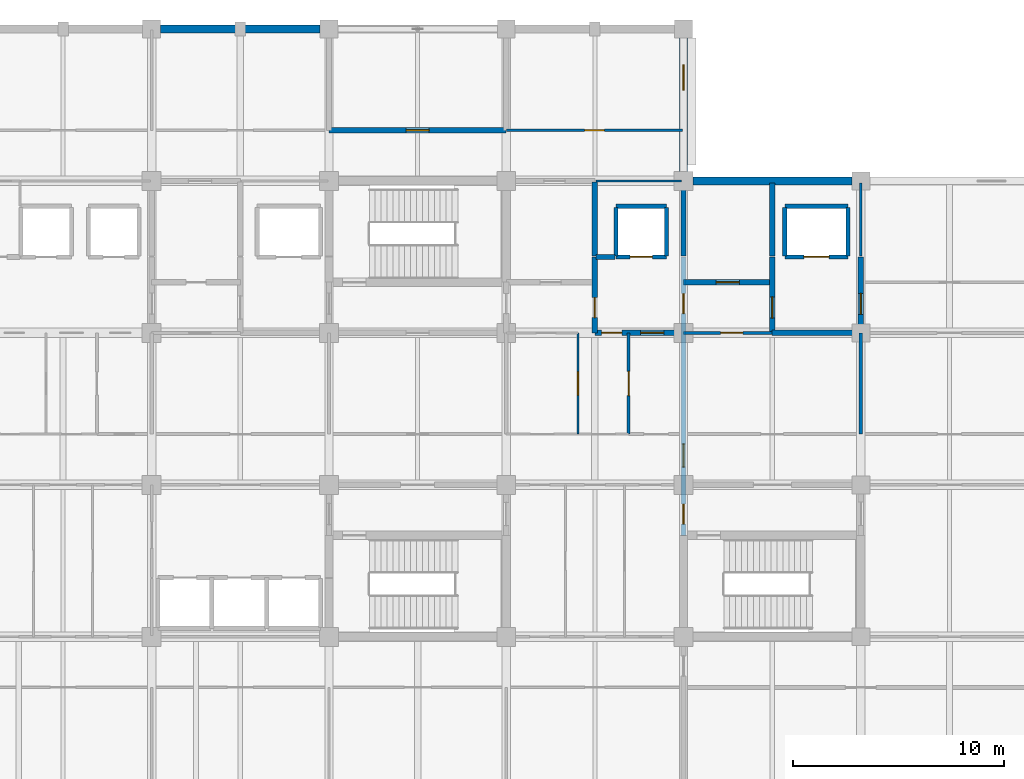
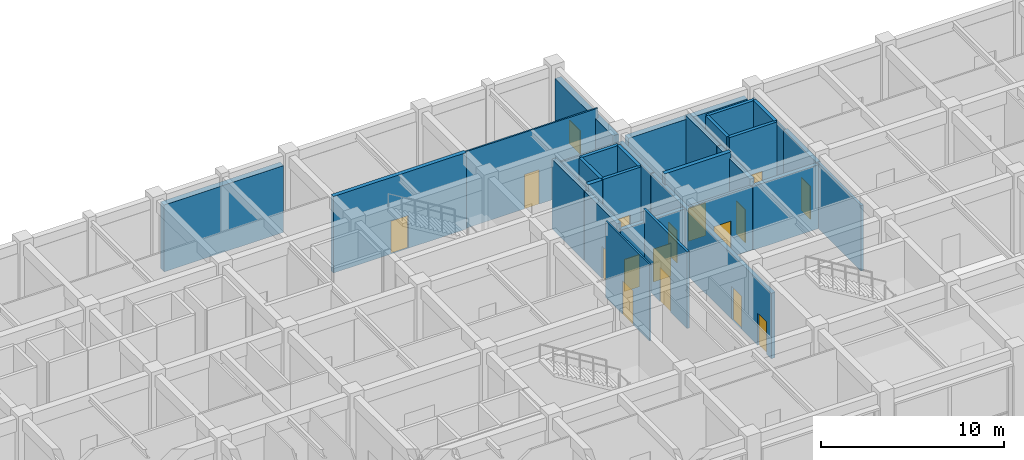
# One storey, part 36 of 51: 30 walls, 16 doors, 1 window, 17 openings.
"""IFC4 building model written with IfcOpenShell, lengths in metres."""

from ifc_helpers import new_model, si_unit, direction, frame, frame_2d, origin, place, context, subcontext, project, spatial, rectangle, extrude, material, layer, layer_set, type_object, element, fill, save


model = new_model("IFC4")

# Units and contexts
model_context = context("Model", 3, precision=1e-05, world=origin(), true_north=direction((0.0, 1.0)))
body_context = subcontext(model_context, "Body", "Model", "MODEL_VIEW")
ifc_project = project(units=[si_unit("LENGTHUNIT", "METRE"), si_unit("AREAUNIT", "SQUARE_METRE"), si_unit("VOLUMEUNIT", "CUBIC_METRE"), si_unit("PLANEANGLEUNIT", "RADIAN"), si_unit("MASSUNIT", "GRAM", prefix="KILO")], contexts=[model_context])

# Site, building, storey
site_placement = place(None, origin())
site = spatial("IfcSite", under=ifc_project, at=site_placement, CompositionType="ELEMENT")
building_placement = place(site_placement, origin())
building = spatial("IfcBuilding", under=site, at=building_placement, Name="Chengyuan Square Courthouse", CompositionType="ELEMENT")
storey_placement = place(building_placement, frame((0.0, 0.0, 10.800048828125)))
storey = spatial("IfcBuildingStorey", under=building, at=storey_placement, Name="L03", CompositionType="ELEMENT", Elevation=10.800048828125)

# Wall
ifc_material_1 = material(Name="Concrete C40", Category="concrete")
ifc_layer_1 = layer(ifc_material_1, 0.3798828125)
ifc_layer_set_1 = layer_set([ifc_layer_1], Name="Concrete C40")
wall_type_1 = type_object("IfcWallType", Name="WL-EW1", PredefinedType="STANDARD", material=ifc_layer_set_1)
wall_1_placement = place(storey_placement, frame((92.820068359375, 115.199951171875, 0.0), z_axis=(0.0, 0.0, 1.0), x_axis=(1.0, 0.0, 0.0)))
element("IfcWall", 1, at=wall_1_placement, inside=storey, type_object=wall_type_1, Name="Exterior Wall WL-L03-E277", PredefinedType="STANDARD", context=body_context, shape_type="SweptSolid", body=[
    extrude(rectangle(XDim=7.559814453125, YDim=0.3798828125, at=frame_2d((3.77978515625, 0.0))), origin(), (0.0, 0.0, 1.0), 4.469970703125),
])

# Wall, opening, window
wall_2_placement = place(storey_placement, frame((117.60009765625, 108.445068359375, 0.0), z_axis=(0.0, 0.0, 1.0), x_axis=(0.0, 1.0, 0.0)))
wall_2 = element("IfcWall", 2, at=wall_2_placement, inside=storey, type_object=wall_type_1, Name="Exterior Wall WL-L03-E280", PredefinedType="STANDARD", context=body_context, shape_type="SweptSolid", body=[
    extrude(rectangle(XDim=6.3349609375, YDim=0.3798828125, at=frame_2d((3.16748046875, 0.0))), origin(), (0.0, 0.0, 1.0), 4.469970703125),
])
opening_1_placement = place(wall_2_placement, frame((3.85498046875, 0.0, 0.85009765625)))
opening_1 = element("IfcOpeningElement", 3, at=opening_1_placement, cuts=wall_2, Name="Opening WN-070", PredefinedType="OPENING", context=body_context, shape_type="SweptSolid", body=[
    extrude(rectangle(XDim=1.199951171875, YDim=1.56005859375, at=frame_2d((0.60009765625, 0.780029296875))), frame((0.0, 0.201904296875, 0.0), z_axis=(0.0, -1.0, 0.0), x_axis=(1.0, 0.0, 0.0)), (0.0, 0.0, 1.0), 0.40380859375),
])
ifc_material_2 = material(Name="Thermally Broken Aluminium Triple Low-E Window", Category="aluminium")
window_type = type_object("IfcWindowType", Name="WT-15", PartitioningType="SINGLE_PANEL", PredefinedType="WINDOW", material=ifc_material_2)
window_placement = place(opening_1_placement, origin())
window = element("IfcWindow", 4, at=window_placement, inside=storey, type_object=window_type, Name="Facade Window WN-070", OverallHeight=1.56005859375, OverallWidth=1.199951171875, PartitioningType="SINGLE_PANEL", PredefinedType="WINDOW", context=body_context, shape_type="SweptSolid", body=[
    extrude(rectangle(XDim=1.199951171875, YDim=1.56005859375, at=frame_2d((0.60009765625, 0.780029296875))), frame((0.0, 0.030029296875, 0.0), z_axis=(0.0, -1.0, 0.0), x_axis=(1.0, 0.0, 0.0)), (0.0, 0.0, 1.0), 0.06005859375),
])
fill(opening_1, window)

# Wall
wall_3_placement = place(storey_placement, frame((118.044921875, 108.0, 0.0), z_axis=(0.0, 0.0, 1.0), x_axis=(1.0, 0.0, 0.0)))
element("IfcWall", 5, at=wall_3_placement, inside=storey, type_object=wall_type_1, Name="Exterior Wall WL-L03-E281", PredefinedType="STANDARD", context=body_context, shape_type="SweptSolid", body=[
    extrude(rectangle(XDim=7.53515625, YDim=0.3798828125, at=frame_2d((3.767578125, 0.0))), origin(), (0.0, 0.0, 1.0), 4.469970703125),
])

# Wall, openings, doors
ifc_layer_2 = layer(ifc_material_1, 0.25)
ifc_layer_set_2 = layer_set([ifc_layer_2], Name="Concrete C40")
wall_type_2 = type_object("IfcWallType", Name="WL-FW1", PredefinedType="STANDARD", material=ifc_layer_set_2)
wall_4_placement = place(storey_placement, frame((113.39990234375, 100.800048828125, 0.0), z_axis=(0.0, 0.0, 1.0), x_axis=(1.0, 0.0, 0.0)))
wall_4 = element("IfcWall", 6, at=wall_4_placement, inside=storey, type_object=wall_type_2, Name="Interior Wall WL-L03-I1490", PredefinedType="STANDARD", context=body_context, shape_type="SweptSolid", body=[
    extrude(rectangle(XDim=4.2001953125, YDim=0.25, at=frame_2d((2.10009765625, 0.0))), origin(), (0.0, 0.0, 1.0), 4.27001953125),
])
opening_2_placement = place(wall_4_placement, frame((0.324951171875, 0.0, 0.0)))
opening_2 = element("IfcOpeningElement", 7, at=opening_2_placement, cuts=wall_4, Name="Opening DR-1412", PredefinedType="OPENING", context=body_context, shape_type="SweptSolid", body=[
    extrude(rectangle(XDim=0.949951171875, YDim=2.14990234375, at=frame_2d((0.47509765625, 1.074951171875))), frame((0.0, 0.136962890625, 0.0), z_axis=(0.0, -1.0, 0.0), x_axis=(1.0, 0.0, 0.0)), (0.0, 0.0, 1.0), 0.27392578125),
])
opening_3_placement = place(wall_4_placement, frame((2.1650390625, 0.0, 0.0)))
opening_3 = element("IfcOpeningElement", 8, at=opening_3_placement, cuts=wall_4, Name="Opening DR-1413", PredefinedType="OPENING", context=body_context, shape_type="SweptSolid", body=[
    extrude(rectangle(XDim=1.10009765625, YDim=2.199951171875, at=frame_2d((0.550048828125, 1.10009765625))), frame((0.0, 0.136962890625, 0.0), z_axis=(0.0, -1.0, 0.0), x_axis=(1.0, 0.0, 0.0)), (0.0, 0.0, 1.0), 0.27392578125),
])
ifc_material_3 = material(Name="Steel Q235B Fire Door", Category="steel")
door_type_1 = type_object("IfcDoorType", Name="DT-10", OperationType="NOTDEFINED", PredefinedType="DOOR", material=ifc_material_3)
door_1_placement = place(opening_3_placement, origin())
door_1 = element("IfcDoor", 9, at=door_1_placement, inside=storey, type_object=door_type_1, Name="Interior Door DR-1413", OperationType="SINGLE_SWING_LEFT", OverallHeight=2.199951171875, OverallWidth=1.10009765625, PredefinedType="DOOR", context=body_context, shape_type="SweptSolid", body=[
    extrude(rectangle(XDim=1.10009765625, YDim=2.199951171875, at=frame_2d((0.550048828125, 1.10009765625))), frame((0.0, 0.02490234375, 0.0), z_axis=(0.0, -1.0, 0.0), x_axis=(1.0, 0.0, 0.0)), (0.0, 0.0, 1.0), 0.050048828125),
])
fill(opening_3, door_1)
door_type_2 = type_object("IfcDoorType", Name="DT-12", OperationType="NOTDEFINED", PredefinedType="DOOR", material=ifc_material_3)
door_2_placement = place(opening_2_placement, origin())
door_2 = element("IfcDoor", 10, at=door_2_placement, inside=storey, type_object=door_type_2, Name="Interior Door DR-1412", OperationType="SINGLE_SWING_RIGHT", OverallHeight=2.14990234375, OverallWidth=0.949951171875, PredefinedType="DOOR", context=body_context, shape_type="SweptSolid", body=[
    extrude(rectangle(XDim=0.949951171875, YDim=2.14990234375, at=frame_2d((0.47509765625, 1.074951171875))), frame((0.0, 0.02490234375, 0.0), z_axis=(0.0, -1.0, 0.0), x_axis=(1.0, 0.0, 0.0)), (0.0, 0.0, 1.0), 0.050048828125),
])
fill(opening_2, door_2)

# Wall
wall_5_placement = place(storey_placement, frame((121.800048828125, 100.800048828125, 0.0), z_axis=(0.0, 0.0, 1.0), x_axis=(1.0, 0.0, 0.0)))
element("IfcWall", 11, at=wall_5_placement, inside=storey, type_object=wall_type_2, Name="Interior Wall WL-L03-I1492", PredefinedType="STANDARD", context=body_context, shape_type="SweptSolid", body=[
    extrude(rectangle(XDim=4.199951171875, YDim=0.25, at=frame_2d((2.10009765625, 0.0))), origin(), (0.0, 0.0, 1.0), 4.27001953125),
])

# Wall, opening, door
wall_6_placement = place(storey_placement, frame((117.60009765625, 103.199951171875, 0.0), z_axis=(0.0, 0.0, 1.0), x_axis=(1.0, 0.0, 0.0)))
wall_6 = element("IfcWall", 12, at=wall_6_placement, inside=storey, type_object=wall_type_2, Name="Interior Wall WL-L03-I1506", PredefinedType="STANDARD", context=body_context, shape_type="SweptSolid", body=[
    extrude(rectangle(XDim=4.199951171875, YDim=0.25, at=frame_2d((2.10009765625, 0.0))), origin(), (0.0, 0.0, 1.0), 5.119873046875),
])
opening_4_placement = place(wall_6_placement, frame((1.550048828125, 0.0, 0.0)))
opening_4 = element("IfcOpeningElement", 13, at=opening_4_placement, cuts=wall_6, Name="Opening DR-1386", PredefinedType="OPENING", context=body_context, shape_type="SweptSolid", body=[
    extrude(rectangle(XDim=1.10009765625, YDim=2.199951171875, at=frame_2d((0.550048828125, 1.10009765625))), frame((0.0, 0.136962890625, 0.0), z_axis=(0.0, -1.0, 0.0), x_axis=(1.0, 0.0, 0.0)), (0.0, 0.0, 1.0), 0.27392578125),
])
door_3_placement = place(opening_4_placement, origin())
door_3 = element("IfcDoor", 14, at=door_3_placement, inside=storey, type_object=door_type_1, Name="Interior Door DR-1386", OperationType="SINGLE_SWING_LEFT", OverallHeight=2.199951171875, OverallWidth=1.10009765625, PredefinedType="DOOR", context=body_context, shape_type="SweptSolid", body=[
    extrude(rectangle(XDim=1.10009765625, YDim=2.199951171875, at=frame_2d((0.550048828125, 1.10009765625))), frame((0.0, 0.02490234375, 0.0), z_axis=(0.0, -1.0, 0.0), x_axis=(1.0, 0.0, 0.0)), (0.0, 0.0, 1.0), 0.050048828125),
])
fill(opening_4, door_3)

# Wall
wall_7_placement = place(storey_placement, frame((113.449951171875, 104.39990234375, 0.0), z_axis=(0.0, 0.0, 1.0), x_axis=(1.0, 0.0, 0.0)))
element("IfcWall", 15, at=wall_7_placement, inside=storey, type_object=wall_type_2, Name="Interior Wall WL-L03-I1518", PredefinedType="STANDARD", context=body_context, shape_type="SweptSolid", body=[
    extrude(rectangle(XDim=0.900146484375, YDim=0.25, at=frame_2d((0.4501953125, 0.0))), origin(), (0.0, 0.0, 1.0), 5.119873046875),
])

# Wall, opening, door
wall_8_placement = place(storey_placement, frame((100.800048828125, 110.39990234375, 0.0), z_axis=(0.0, 0.0, 1.0), x_axis=(1.0, 0.0, 0.0)))
wall_8 = element("IfcWall", 16, at=wall_8_placement, inside=storey, type_object=wall_type_2, Name="Interior Wall WL-L03-I1547", PredefinedType="STANDARD", context=body_context, shape_type="SweptSolid", body=[
    extrude(rectangle(XDim=8.39990234375, YDim=0.25, at=frame_2d((4.199951171875, 0.0))), origin(), (0.0, 0.0, 1.0), 5.119873046875),
])
opening_5_placement = place(wall_8_placement, frame((3.64990234375, 0.0, 0.0)))
opening_5 = element("IfcOpeningElement", 17, at=opening_5_placement, cuts=wall_8, Name="Opening DR-1572", PredefinedType="OPENING", context=body_context, shape_type="SweptSolid", body=[
    extrude(rectangle(XDim=1.10009765625, YDim=2.199951171875, at=frame_2d((0.550048828125, 1.10009765625))), frame((0.0, 0.136962890625, 0.0), z_axis=(0.0, -1.0, 0.0), x_axis=(1.0, 0.0, 0.0)), (0.0, 0.0, 1.0), 0.27392578125),
])
door_4_placement = place(opening_5_placement, origin())
door_4 = element("IfcDoor", 18, at=door_4_placement, inside=storey, type_object=door_type_1, Name="Interior Door DR-1572", OperationType="SINGLE_SWING_RIGHT", OverallHeight=2.199951171875, OverallWidth=1.10009765625, PredefinedType="DOOR", context=body_context, shape_type="SweptSolid", body=[
    extrude(rectangle(XDim=1.10009765625, YDim=2.199951171875, at=frame_2d((0.550048828125, 1.10009765625))), frame((0.0, 0.02490234375, 0.0), z_axis=(0.0, -1.0, 0.0), x_axis=(1.0, 0.0, 0.0)), (0.0, 0.0, 1.0), 0.050048828125),
])
fill(opening_5, door_4)

wall_9_placement = place(storey_placement, frame((113.39990234375, 100.800048828125, 0.0), z_axis=(0.0, 0.0, 1.0), x_axis=(0.0, 1.0, 0.0)))
wall_9 = element("IfcWall", 19, at=wall_9_placement, inside=storey, type_object=wall_type_2, Name="Interior Wall WL-L03-I1685", PredefinedType="STANDARD", context=body_context, shape_type="SweptSolid", body=[
    extrude(rectangle(XDim=3.599853515625, YDim=0.25, at=frame_2d((1.7998046875, 0.0))), origin(), (0.0, 0.0, 1.0), 4.669921875),
])
opening_6_placement = place(wall_9_placement, frame((0.72509765625, 0.0, 0.0)))
opening_6 = element("IfcOpeningElement", 20, at=opening_6_placement, cuts=wall_9, Name="Opening DR-1409", PredefinedType="OPENING", context=body_context, shape_type="SweptSolid", body=[
    extrude(rectangle(XDim=0.949951171875, YDim=2.14990234375, at=frame_2d((0.47509765625, 1.074951171875))), frame((0.0, 0.136962890625, 0.0), z_axis=(0.0, -1.0, 0.0), x_axis=(1.0, 0.0, 0.0)), (0.0, 0.0, 1.0), 0.27392578125),
])
door_5_placement = place(opening_6_placement, origin())
door_5 = element("IfcDoor", 21, at=door_5_placement, inside=storey, type_object=door_type_2, Name="Interior Door DR-1409", OperationType="SINGLE_SWING_LEFT", OverallHeight=2.14990234375, OverallWidth=0.949951171875, PredefinedType="DOOR", context=body_context, shape_type="SweptSolid", body=[
    extrude(rectangle(XDim=0.949951171875, YDim=2.14990234375, at=frame_2d((0.47509765625, 1.074951171875))), frame((0.0, 0.02490234375, 0.0), z_axis=(0.0, -1.0, 0.0), x_axis=(1.0, 0.0, 0.0)), (0.0, 0.0, 1.0), 0.050048828125),
])
fill(opening_6, door_5)

# Wall
wall_10_placement = place(storey_placement, frame((113.39990234375, 104.449951171875, 0.0), z_axis=(0.0, 0.0, 1.0), x_axis=(0.0, 1.0, 0.0)))
element("IfcWall", 22, at=wall_10_placement, inside=storey, type_object=wall_type_2, Name="Interior Wall WL-L03-I1686", PredefinedType="STANDARD", context=body_context, shape_type="SweptSolid", body=[
    extrude(rectangle(XDim=3.5, YDim=0.25, at=frame_2d((1.75, 0.0))), origin(), (0.0, 0.0, 1.0), 4.669921875),
])

# Wall, openings, doors
wall_11_placement = place(storey_placement, frame((117.60009765625, 91.199951171875, 0.0), z_axis=(0.0, 0.0, 1.0), x_axis=(0.0, 1.0, 0.0)))
wall_11 = element("IfcWall", 23, at=wall_11_placement, inside=storey, type_object=wall_type_2, Name="Interior Wall WL-L03-I1693", PredefinedType="STANDARD", context=body_context, shape_type="SweptSolid", body=[
    extrude(rectangle(XDim=13.199951171875, YDim=0.25, at=frame_2d((6.60009765625, 0.0))), origin(), (0.0, 0.0, 1.0), 4.369873046875),
])
opening_7_placement = place(wall_11_placement, frame((0.5400390625, 0.0, 0.0)))
opening_7 = element("IfcOpeningElement", 24, at=opening_7_placement, cuts=wall_11, Name="Opening DR-1343", PredefinedType="OPENING", context=body_context, shape_type="SweptSolid", body=[
    extrude(rectangle(XDim=0.949951171875, YDim=2.14990234375, at=frame_2d((0.47509765625, 1.074951171875))), frame((0.0, 0.136962890625, 0.0), z_axis=(0.0, -1.0, 0.0), x_axis=(1.0, 0.0, 0.0)), (0.0, 0.0, 1.0), 0.27392578125),
])
opening_8_placement = place(wall_11_placement, frame((10.510009765625, 0.0, 0.0)))
opening_8 = element("IfcOpeningElement", 25, at=opening_8_placement, cuts=wall_11, Name="Opening DR-1388", PredefinedType="OPENING", context=body_context, shape_type="SweptSolid", body=[
    extrude(rectangle(XDim=0.949951171875, YDim=2.14990234375, at=frame_2d((0.47509765625, 1.074951171875))), frame((0.0, 0.136962890625, 0.0), z_axis=(0.0, -1.0, 0.0), x_axis=(1.0, 0.0, 0.0)), (0.0, 0.0, 1.0), 0.27392578125),
])
opening_9_placement = place(wall_11_placement, frame((3.235107421875, 0.0, 0.0)))
opening_9 = element("IfcOpeningElement", 26, at=opening_9_placement, cuts=wall_11, Name="Opening DR-1476", PredefinedType="OPENING", context=body_context, shape_type="SweptSolid", body=[
    extrude(rectangle(XDim=1.10009765625, YDim=2.199951171875, at=frame_2d((0.550048828125, 1.10009765625))), frame((0.0, 0.136962890625, 0.0), z_axis=(0.0, -1.0, 0.0), x_axis=(1.0, 0.0, 0.0)), (0.0, 0.0, 1.0), 0.27392578125),
])
door_6_placement = place(opening_9_placement, origin())
door_6 = element("IfcDoor", 27, at=door_6_placement, inside=storey, type_object=door_type_1, Name="Interior Door DR-1476", OperationType="SINGLE_SWING_LEFT", OverallHeight=2.199951171875, OverallWidth=1.10009765625, PredefinedType="DOOR", context=body_context, shape_type="SweptSolid", body=[
    extrude(rectangle(XDim=1.10009765625, YDim=2.199951171875, at=frame_2d((0.550048828125, 1.10009765625))), frame((0.0, 0.02490234375, 0.0), z_axis=(0.0, -1.0, 0.0), x_axis=(1.0, 0.0, 0.0)), (0.0, 0.0, 1.0), 0.050048828125),
])
fill(opening_9, door_6)
door_7_placement = place(opening_7_placement, origin())
door_7 = element("IfcDoor", 28, at=door_7_placement, inside=storey, type_object=door_type_2, Name="Interior Door DR-1343", OperationType="SINGLE_SWING_RIGHT", OverallHeight=2.14990234375, OverallWidth=0.949951171875, PredefinedType="DOOR", context=body_context, shape_type="SweptSolid", body=[
    extrude(rectangle(XDim=0.949951171875, YDim=2.14990234375, at=frame_2d((0.47509765625, 1.074951171875))), frame((0.0, 0.02490234375, 0.0), z_axis=(0.0, -1.0, 0.0), x_axis=(1.0, 0.0, 0.0)), (0.0, 0.0, 1.0), 0.050048828125),
])
fill(opening_7, door_7)
door_8_placement = place(opening_8_placement, origin())
door_8 = element("IfcDoor", 29, at=door_8_placement, inside=storey, type_object=door_type_2, Name="Interior Door DR-1388", OperationType="SINGLE_SWING_LEFT", OverallHeight=2.14990234375, OverallWidth=0.949951171875, PredefinedType="DOOR", context=body_context, shape_type="SweptSolid", body=[
    extrude(rectangle(XDim=0.949951171875, YDim=2.14990234375, at=frame_2d((0.47509765625, 1.074951171875))), frame((0.0, 0.02490234375, 0.0), z_axis=(0.0, -1.0, 0.0), x_axis=(1.0, 0.0, 0.0)), (0.0, 0.0, 1.0), 0.050048828125),
])
fill(opening_8, door_8)

# Wall
wall_12_placement = place(storey_placement, frame((117.60009765625, 104.449951171875, 0.0), z_axis=(0.0, 0.0, 1.0), x_axis=(0.0, 1.0, 0.0)))
element("IfcWall", 30, at=wall_12_placement, inside=storey, type_object=wall_type_2, Name="Interior Wall WL-L03-I1694", PredefinedType="STANDARD", context=body_context, shape_type="SweptSolid", body=[
    extrude(rectangle(XDim=3.4599609375, YDim=0.25, at=frame_2d((1.72998046875, 0.0))), origin(), (0.0, 0.0, 1.0), 4.369873046875),
])

# Wall, opening, door
wall_13_placement = place(storey_placement, frame((121.800048828125, 100.800048828125, 0.0), z_axis=(0.0, 0.0, 1.0), x_axis=(0.0, 1.0, 0.0)))
wall_13 = element("IfcWall", 31, at=wall_13_placement, inside=storey, type_object=wall_type_2, Name="Interior Wall WL-L03-I1695", PredefinedType="STANDARD", context=body_context, shape_type="SweptSolid", body=[
    extrude(rectangle(XDim=3.599853515625, YDim=0.25, at=frame_2d((1.7998046875, 0.0))), origin(), (0.0, 0.0, 1.0), 4.719970703125),
])
opening_10_placement = place(wall_13_placement, frame((0.699951171875, 0.0, 0.0)))
opening_10 = element("IfcOpeningElement", 32, at=opening_10_placement, cuts=wall_13, Name="Opening DR-1387", PredefinedType="OPENING", context=body_context, shape_type="SweptSolid", body=[
    extrude(rectangle(XDim=1.0, YDim=2.199951171875, at=frame_2d((0.5, 1.10009765625))), frame((0.0, 0.136962890625, 0.0), z_axis=(0.0, -1.0, 0.0), x_axis=(1.0, 0.0, 0.0)), (0.0, 0.0, 1.0), 0.27392578125),
])
door_type_3 = type_object("IfcDoorType", Name="DT-11", OperationType="NOTDEFINED", PredefinedType="DOOR", material=ifc_material_3)
door_9_placement = place(opening_10_placement, origin())
door_9 = element("IfcDoor", 33, at=door_9_placement, inside=storey, type_object=door_type_3, Name="Interior Door DR-1387", OperationType="SINGLE_SWING_RIGHT", OverallHeight=2.199951171875, OverallWidth=1.0, PredefinedType="DOOR", context=body_context, shape_type="SweptSolid", body=[
    extrude(rectangle(XDim=1.0, YDim=2.199951171875, at=frame_2d((0.5, 1.10009765625))), frame((0.0, 0.02490234375, 0.0), z_axis=(0.0, -1.0, 0.0), x_axis=(1.0, 0.0, 0.0)), (0.0, 0.0, 1.0), 0.050048828125),
])
fill(opening_10, door_9)

# Wall
wall_14_placement = place(storey_placement, frame((121.800048828125, 104.449951171875, 0.0), z_axis=(0.0, 0.0, 1.0), x_axis=(0.0, 1.0, 0.0)))
element("IfcWall", 34, at=wall_14_placement, inside=storey, type_object=wall_type_2, Name="Interior Wall WL-L03-I1696", PredefinedType="STANDARD", context=body_context, shape_type="SweptSolid", body=[
    extrude(rectangle(XDim=3.4599609375, YDim=0.25, at=frame_2d((1.72998046875, 0.0))), origin(), (0.0, 0.0, 1.0), 4.719970703125),
])

# Wall, opening, door
wall_15_placement = place(storey_placement, frame((126.0, 100.800048828125, 0.0), z_axis=(0.0, 0.0, 1.0), x_axis=(0.0, 1.0, 0.0)))
wall_15 = element("IfcWall", 35, at=wall_15_placement, inside=storey, type_object=wall_type_2, Name="Interior Wall WL-L03-I1702", PredefinedType="STANDARD", context=body_context, shape_type="SweptSolid", body=[
    extrude(rectangle(XDim=3.599853515625, YDim=0.25, at=frame_2d((1.7998046875, 0.0))), origin(), (0.0, 0.0, 1.0), 4.369873046875),
])
opening_11_placement = place(wall_15_placement, frame((0.87255859375, 0.0, 0.0)))
opening_11 = element("IfcOpeningElement", 36, at=opening_11_placement, cuts=wall_15, Name="Opening DR-1390", PredefinedType="OPENING", context=body_context, shape_type="SweptSolid", body=[
    extrude(rectangle(XDim=1.0, YDim=2.199951171875, at=frame_2d((0.5, 1.10009765625))), frame((0.0, 0.136962890625, 0.0), z_axis=(0.0, -1.0, 0.0), x_axis=(1.0, 0.0, 0.0)), (0.0, 0.0, 1.0), 0.27392578125),
])
door_10_placement = place(opening_11_placement, origin())
door_10 = element("IfcDoor", 37, at=door_10_placement, inside=storey, type_object=door_type_3, Name="Interior Door DR-1390", OperationType="SINGLE_SWING_LEFT", OverallHeight=2.199951171875, OverallWidth=1.0, PredefinedType="DOOR", context=body_context, shape_type="SweptSolid", body=[
    extrude(rectangle(XDim=1.0, YDim=2.199951171875, at=frame_2d((0.5, 1.10009765625))), frame((0.0, 0.02490234375, 0.0), z_axis=(0.0, -1.0, 0.0), x_axis=(1.0, 0.0, 0.0)), (0.0, 0.0, 1.0), 0.050048828125),
])
fill(opening_11, door_10)

ifc_material_4 = material(Name="Deliberation Room Sound-Insulated Partition")
ifc_layer_3 = layer(ifc_material_4, 0.14990234375)
ifc_layer_set_3 = layer_set([ifc_layer_3], Name="Deliberation Room Sound-Insulated Partition")
wall_type_3 = type_object("IfcWallType", Name="WL-PT3", PredefinedType="STANDARD", material=ifc_layer_set_3)
wall_16_placement = place(storey_placement, frame((117.60009765625, 100.800048828125, 0.0), z_axis=(0.0, 0.0, 1.0), x_axis=(1.0, 0.0, 0.0)))
wall_16 = element("IfcWall", 38, at=wall_16_placement, inside=storey, type_object=wall_type_3, Name="Interior Wall WL-L03-I1491", PredefinedType="STANDARD", context=body_context, shape_type="SweptSolid", body=[
    extrude(rectangle(XDim=4.199951171875, YDim=0.14990234375, at=frame_2d((2.10009765625, 0.0))), origin(), (0.0, 0.0, 1.0), 4.27001953125),
])
opening_12_placement = place(wall_16_placement, frame((1.7548828125, 0.0, 0.0)))
opening_12 = element("IfcOpeningElement", 39, at=opening_12_placement, cuts=wall_16, Name="Opening DR-1389", PredefinedType="OPENING", context=body_context, shape_type="SweptSolid", body=[
    extrude(rectangle(XDim=1.06005859375, YDim=2.39990234375, at=frame_2d((0.530029296875, 1.199951171875))), frame((0.0, 0.0869140625, 0.0), z_axis=(0.0, -1.0, 0.0), x_axis=(1.0, 0.0, 0.0)), (0.0, 0.0, 1.0), 0.173828125),
])
ifc_material_5 = material(Name="Acoustic Solid-Core Timber Door", Category="wood")
door_type_4 = type_object("IfcDoorType", Name="DT-42", OperationType="NOTDEFINED", PredefinedType="DOOR", material=ifc_material_5)
door_11_placement = place(opening_12_placement, origin())
door_11 = element("IfcDoor", 40, at=door_11_placement, inside=storey, type_object=door_type_4, Name="Interior Door DR-1389", OperationType="SINGLE_SWING_RIGHT", OverallHeight=2.39990234375, OverallWidth=1.06005859375, PredefinedType="DOOR", context=body_context, shape_type="SweptSolid", body=[
    extrude(rectangle(XDim=1.06005859375, YDim=2.39990234375, at=frame_2d((0.530029296875, 1.199951171875))), frame((0.0, 0.02490234375, 0.0), z_axis=(0.0, -1.0, 0.0), x_axis=(1.0, 0.0, 0.0)), (0.0, 0.0, 1.0), 0.050048828125),
])
fill(opening_12, door_11)

wall_17_placement = place(storey_placement, frame((115.0, 96.0, 0.0), z_axis=(0.0, 0.0, 1.0), x_axis=(0.0, 1.0, 0.0)))
wall_17 = element("IfcWall", 41, at=wall_17_placement, inside=storey, type_object=wall_type_3, Name="Interior Wall WL-L03-I1689", PredefinedType="STANDARD", context=body_context, shape_type="SweptSolid", body=[
    extrude(rectangle(XDim=4.800048828125, YDim=0.14990234375, at=frame_2d((2.39990234375, 0.0))), origin(), (0.0, 0.0, 1.0), 5.119873046875),
])
opening_13_placement = place(wall_17_placement, frame((1.820068359375, 0.0, 0.0)))
opening_13 = element("IfcOpeningElement", 42, at=opening_13_placement, cuts=wall_17, Name="Opening DR-1518", PredefinedType="OPENING", context=body_context, shape_type="SweptSolid", body=[
    extrude(rectangle(XDim=1.159912109375, YDim=2.300048828125, at=frame_2d((0.580078125, 1.14990234375))), frame((0.0, 0.0869140625, 0.0), z_axis=(0.0, -1.0, 0.0), x_axis=(1.0, 0.0, 0.0)), (0.0, 0.0, 1.0), 0.173828125),
])
door_type_5 = type_object("IfcDoorType", Name="DT-35", OperationType="NOTDEFINED", PredefinedType="DOOR", material=ifc_material_5)
door_12_placement = place(opening_13_placement, origin())
door_12 = element("IfcDoor", 43, at=door_12_placement, inside=storey, type_object=door_type_5, Name="Interior Door DR-1518", OperationType="SINGLE_SWING_RIGHT", OverallHeight=2.300048828125, OverallWidth=1.159912109375, PredefinedType="DOOR", context=body_context, shape_type="SweptSolid", body=[
    extrude(rectangle(XDim=1.159912109375, YDim=2.300048828125, at=frame_2d((0.580078125, 1.14990234375))), frame((0.0, 0.02490234375, 0.0), z_axis=(0.0, -1.0, 0.0), x_axis=(1.0, 0.0, 0.0)), (0.0, 0.0, 1.0), 0.050048828125),
])
fill(opening_13, door_12)

# Walls
wall_18_placement = place(storey_placement, frame((126.0, 96.0, 0.0), z_axis=(0.0, 0.0, 1.0), x_axis=(0.0, 1.0, 0.0)))
element("IfcWall", 44, at=wall_18_placement, inside=storey, type_object=wall_type_3, Name="Interior Wall WL-L03-I1701", PredefinedType="STANDARD", context=body_context, shape_type="SweptSolid", body=[
    extrude(rectangle(XDim=4.800048828125, YDim=0.14990234375, at=frame_2d((2.39990234375, 0.0))), origin(), (0.0, 0.0, 1.0), 4.369873046875),
])
ifc_material_6 = material(Name="Gypsum Plasterboard Acoustic Stud Partition")
ifc_layer_4 = layer(ifc_material_6, 0.10009765625)
ifc_layer_set_4 = layer_set([ifc_layer_4], Name="Gypsum Plasterboard Acoustic Stud Partition")
wall_type_4 = type_object("IfcWallType", Name="WL-PT6", PredefinedType="STANDARD", material=ifc_layer_set_4)
wall_19_placement = place(storey_placement, frame((113.449951171875, 108.0, 0.0), z_axis=(0.0, 0.0, 1.0), x_axis=(1.0, 0.0, 0.0)))
element("IfcWall", 45, at=wall_19_placement, inside=storey, type_object=wall_type_4, Name="Interior Wall WL-L03-I1543", PredefinedType="STANDARD", context=body_context, shape_type="SweptSolid", body=[
    extrude(rectangle(XDim=4.06005859375, YDim=0.10009765625, at=frame_2d((2.030029296875, 0.0))), origin(), (0.0, 0.0, 1.0), 4.27001953125),
])

# Wall, opening, door
wall_20_placement = place(storey_placement, frame((109.199951171875, 110.39990234375, 0.0), z_axis=(0.0, 0.0, 1.0), x_axis=(1.0, 0.0, 0.0)))
wall_20 = element("IfcWall", 46, at=wall_20_placement, inside=storey, type_object=wall_type_4, Name="Interior Wall WL-L03-I1548", PredefinedType="STANDARD", context=body_context, shape_type="SweptSolid", body=[
    extrude(rectangle(XDim=8.360107421875, YDim=0.10009765625, at=frame_2d((4.18017578125, 0.0))), origin(), (0.0, 0.0, 1.0), 5.119873046875),
])
opening_14_placement = place(wall_20_placement, frame((3.7099609375, 0.0, 0.0)))
opening_14 = element("IfcOpeningElement", 47, at=opening_14_placement, cuts=wall_20, Name="Opening DR-1573", PredefinedType="OPENING", context=body_context, shape_type="SweptSolid", body=[
    extrude(rectangle(XDim=0.93994140625, YDim=2.300048828125, at=frame_2d((0.469970703125, 1.14990234375))), frame((0.0, 0.06201171875, 0.0), z_axis=(0.0, -1.0, 0.0), x_axis=(1.0, 0.0, 0.0)), (0.0, 0.0, 1.0), 0.1240234375),
])
door_type_6 = type_object("IfcDoorType", Name="DT-39", OperationType="NOTDEFINED", PredefinedType="DOOR", material=ifc_material_5)
door_13_placement = place(opening_14_placement, origin())
door_13 = element("IfcDoor", 48, at=door_13_placement, inside=storey, type_object=door_type_6, Name="Interior Door DR-1573", OperationType="SINGLE_SWING_LEFT", OverallHeight=2.300048828125, OverallWidth=0.93994140625, PredefinedType="DOOR", context=body_context, shape_type="SweptSolid", body=[
    extrude(rectangle(XDim=0.93994140625, YDim=2.300048828125, at=frame_2d((0.469970703125, 1.14990234375))), frame((0.0, 0.02490234375, 0.0), z_axis=(0.0, -1.0, 0.0), x_axis=(1.0, 0.0, 0.0)), (0.0, 0.0, 1.0), 0.050048828125),
])
fill(opening_14, door_13)

wall_21_placement = place(storey_placement, frame((112.60009765625, 96.0, 0.0), z_axis=(0.0, 0.0, 1.0), x_axis=(0.0, 1.0, 0.0)))
wall_21 = element("IfcWall", 49, at=wall_21_placement, inside=storey, type_object=wall_type_4, Name="Interior Wall WL-L03-I1684", PredefinedType="STANDARD", context=body_context, shape_type="SweptSolid", body=[
    extrude(rectangle(XDim=4.800048828125, YDim=0.10009765625, at=frame_2d((2.39990234375, 0.0))), origin(), (0.0, 0.0, 1.0), 5.119873046875),
])
opening_15_placement = place(wall_21_placement, frame((1.840087890625, 0.0, 0.0)))
opening_15 = element("IfcOpeningElement", 50, at=opening_15_placement, cuts=wall_21, Name="Opening DR-1517", PredefinedType="OPENING", context=body_context, shape_type="SweptSolid", body=[
    extrude(rectangle(XDim=1.1201171875, YDim=2.25, at=frame_2d((0.56005859375, 1.125))), frame((0.0, 0.06201171875, 0.0), z_axis=(0.0, -1.0, 0.0), x_axis=(1.0, 0.0, 0.0)), (0.0, 0.0, 1.0), 0.1240234375),
])
door_type_7 = type_object("IfcDoorType", Name="DT-34", OperationType="NOTDEFINED", PredefinedType="DOOR", material=ifc_material_5)
door_14_placement = place(opening_15_placement, origin())
door_14 = element("IfcDoor", 51, at=door_14_placement, inside=storey, type_object=door_type_7, Name="Interior Door DR-1517", OperationType="SINGLE_SWING_LEFT", OverallHeight=2.25, OverallWidth=1.1201171875, PredefinedType="DOOR", context=body_context, shape_type="SweptSolid", body=[
    extrude(rectangle(XDim=1.1201171875, YDim=2.25, at=frame_2d((0.56005859375, 1.125))), frame((0.0, 0.02490234375, 0.0), z_axis=(0.0, -1.0, 0.0), x_axis=(1.0, 0.0, 0.0)), (0.0, 0.0, 1.0), 0.050048828125),
])
fill(opening_15, door_14)

# Wall
wall_22_placement = place(storey_placement, frame((126.0, 104.449951171875, 0.0), z_axis=(0.0, 0.0, 1.0), x_axis=(0.0, 1.0, 0.0)))
element("IfcWall", 52, at=wall_22_placement, inside=storey, type_object=wall_type_4, Name="Interior Wall WL-L03-I1703", PredefinedType="STANDARD", context=body_context, shape_type="SweptSolid", body=[
    extrude(rectangle(XDim=3.4599609375, YDim=0.10009765625, at=frame_2d((1.72998046875, 0.0))), origin(), (0.0, 0.0, 1.0), 4.369873046875),
])

# Wall, opening, door
ifc_material_7 = material(Name="Reinforced Masonry Shaft Enclosure", Category="masonry")
ifc_layer_5 = layer(ifc_material_7, 0.199951171875)
ifc_layer_set_5 = layer_set([ifc_layer_5], Name="Reinforced Masonry Shaft Enclosure")
wall_type_5 = type_object("IfcWallType", Name="WL-SH1", PredefinedType="STANDARD", material=ifc_layer_set_5)
wall_23_placement = place(storey_placement, frame((114.39990234375, 104.39990234375, 0.0), z_axis=(0.0, 0.0, 1.0), x_axis=(1.0, 0.0, 0.0)))
wall_23 = element("IfcWall", 53, at=wall_23_placement, inside=storey, type_object=wall_type_5, Name="Interior Wall WL-L03-I1519", PredefinedType="STANDARD", context=body_context, shape_type="SweptSolid", body=[
    extrude(rectangle(XDim=2.400146484375, YDim=0.199951171875, at=frame_2d((1.2001953125, 0.0))), origin(), (0.0, 0.0, 1.0), 5.119873046875),
])
opening_16_placement = place(wall_23_placement, frame((0.675048828125, 0.0, 0.0)))
opening_16 = element("IfcOpeningElement", 54, at=opening_16_placement, cuts=wall_23, Name="Opening LD-068", PredefinedType="OPENING", context=body_context, shape_type="SweptSolid", body=[
    extrude(rectangle(XDim=1.050048828125, YDim=2.14990234375, at=frame_2d((0.52490234375, 1.074951171875))), frame((0.0, 0.112060546875, 0.0), z_axis=(0.0, -1.0, 0.0), x_axis=(1.0, 0.0, 0.0)), (0.0, 0.0, 1.0), 0.223876953125),
])
ifc_material_8 = material(Name="Stainless Steel S30408 Lift Landing Door", Category="steel")
door_type_8 = type_object("IfcDoorType", Name="DT-08", OperationType="DOUBLE_DOOR_SLIDING", PredefinedType="DOOR", material=ifc_material_8)
door_15_placement = place(opening_16_placement, origin())
door_15 = element("IfcDoor", 55, at=door_15_placement, inside=storey, type_object=door_type_8, Name="Lift Landing Door LF-C2 L03", OperationType="DOUBLE_DOOR_SLIDING", OverallHeight=2.14990234375, OverallWidth=1.050048828125, PredefinedType="DOOR", context=body_context, shape_type="SweptSolid", body=[
    extrude(rectangle(XDim=1.050048828125, YDim=2.14990234375, at=frame_2d((0.52490234375, 1.074951171875))), frame((0.0, 0.02490234375, 0.0), z_axis=(0.0, -1.0, 0.0), x_axis=(1.0, 0.0, 0.0)), (0.0, 0.0, 1.0), 0.050048828125),
])
fill(opening_16, door_15)

wall_24_placement = place(storey_placement, frame((122.39990234375, 104.39990234375, 0.0), z_axis=(0.0, 0.0, 1.0), x_axis=(1.0, 0.0, 0.0)))
wall_24 = element("IfcWall", 56, at=wall_24_placement, inside=storey, type_object=wall_type_5, Name="Interior Wall WL-L03-I1520", PredefinedType="STANDARD", context=body_context, shape_type="SweptSolid", body=[
    extrude(rectangle(XDim=3.0, YDim=0.199951171875, at=frame_2d((1.5, 0.0))), origin(), (0.0, 0.0, 1.0), 5.119873046875),
])
opening_17_placement = place(wall_24_placement, frame((0.89990234375, 0.0, 0.0)))
opening_17 = element("IfcOpeningElement", 57, at=opening_17_placement, cuts=wall_24, Name="Opening LD-056", PredefinedType="OPENING", context=body_context, shape_type="SweptSolid", body=[
    extrude(rectangle(XDim=1.199951171875, YDim=2.14990234375, at=frame_2d((0.60009765625, 1.074951171875))), frame((0.0, 0.112060546875, 0.0), z_axis=(0.0, -1.0, 0.0), x_axis=(1.0, 0.0, 0.0)), (0.0, 0.0, 1.0), 0.223876953125),
])
door_type_9 = type_object("IfcDoorType", Name="DT-05", OperationType="DOUBLE_DOOR_SLIDING", PredefinedType="DOOR", material=ifc_material_8)
door_16_placement = place(opening_17_placement, origin())
door_16 = element("IfcDoor", 58, at=door_16_placement, inside=storey, type_object=door_type_9, Name="Lift Landing Door LF-F4 L03", OperationType="DOUBLE_DOOR_SLIDING", OverallHeight=2.14990234375, OverallWidth=1.199951171875, PredefinedType="DOOR", context=body_context, shape_type="SweptSolid", body=[
    extrude(rectangle(XDim=1.199951171875, YDim=2.14990234375, at=frame_2d((0.60009765625, 1.074951171875))), frame((0.0, 0.02490234375, 0.0), z_axis=(0.0, -1.0, 0.0), x_axis=(1.0, 0.0, 0.0)), (0.0, 0.0, 1.0), 0.050048828125),
])
fill(opening_17, door_16)

# Walls
wall_25_placement = place(storey_placement, frame((114.39990234375, 106.800048828125, 0.0), z_axis=(0.0, 0.0, 1.0), x_axis=(1.0, 0.0, 0.0)))
element("IfcWall", 59, at=wall_25_placement, inside=storey, type_object=wall_type_5, Name="Interior Wall WL-L03-I1529", PredefinedType="STANDARD", context=body_context, shape_type="SweptSolid", body=[
    extrude(rectangle(XDim=2.400146484375, YDim=0.199951171875, at=frame_2d((1.2001953125, 0.0))), origin(), (0.0, 0.0, 1.0), 5.119873046875),
])
wall_26_placement = place(storey_placement, frame((122.39990234375, 106.800048828125, 0.0), z_axis=(0.0, 0.0, 1.0), x_axis=(1.0, 0.0, 0.0)))
element("IfcWall", 60, at=wall_26_placement, inside=storey, type_object=wall_type_5, Name="Interior Wall WL-L03-I1530", PredefinedType="STANDARD", context=body_context, shape_type="SweptSolid", body=[
    extrude(rectangle(XDim=3.0, YDim=0.199951171875, at=frame_2d((1.5, 0.0))), origin(), (0.0, 0.0, 1.0), 5.119873046875),
])
for number, where, z_axis, x_axis, name in (
    (61, (114.39990234375, 104.449951171875, 0.0), (0.0, 0.0, 1.0), (0.0, 1.0, 0.0), "Interior Wall WL-L03-I1687"),
    (62, (116.800048828125, 104.449951171875, 0.0), (0.0, 0.0, 1.0), (0.0, 1.0, 0.0), "Interior Wall WL-L03-I1690"),
    (63, (122.39990234375, 104.449951171875, 0.0), (0.0, 0.0, 1.0), (0.0, 1.0, 0.0), "Interior Wall WL-L03-I1697"),
    (64, (125.39990234375, 104.449951171875, 0.0), (0.0, 0.0, 1.0), (0.0, 1.0, 0.0), "Interior Wall WL-L03-I1698"),
):
    element("IfcWall", number, at=place(storey_placement, frame(where, z_axis=z_axis, x_axis=x_axis)), inside=storey, type_object=wall_type_5, Name=name, PredefinedType="STANDARD", context=body_context, shape_type="SweptSolid", body=[
        extrude(rectangle(XDim=2.300048828125, YDim=0.199951171875, at=frame_2d((1.14990234375, 0.0))), origin(), (0.0, 0.0, 1.0), 5.119873046875),
    ])

save(model, "model.ifc")
